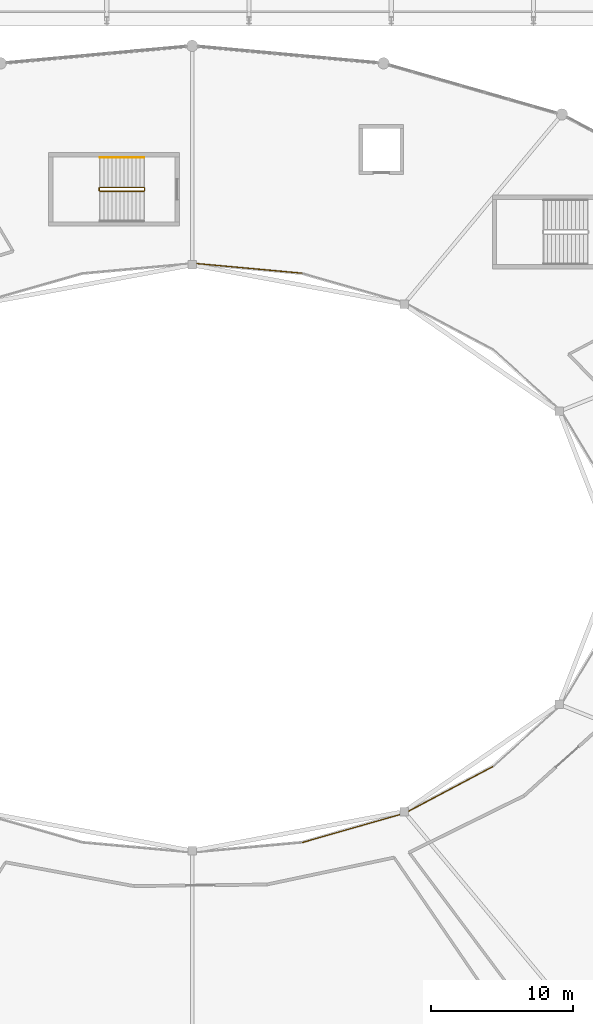
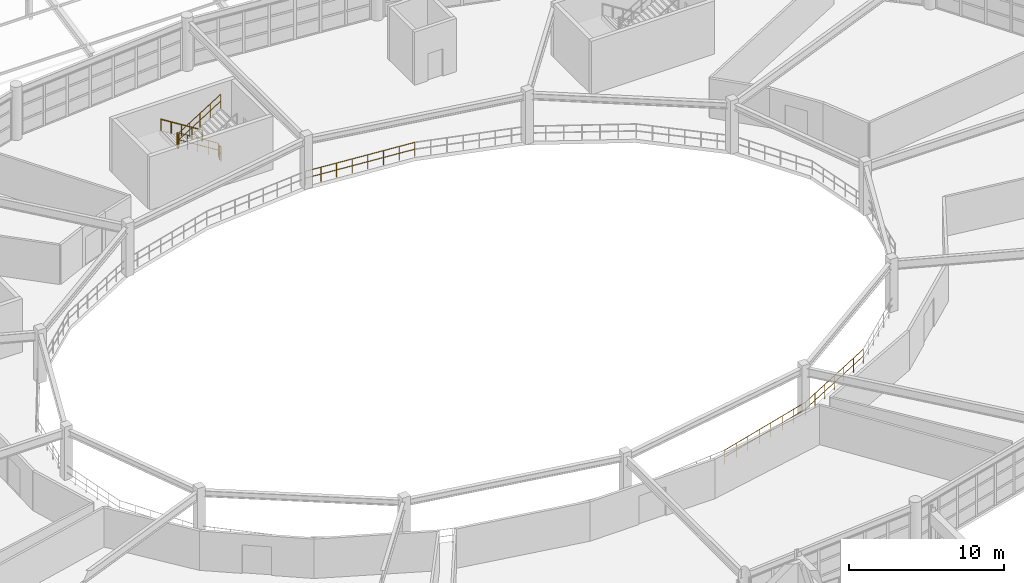
# One storey, part 92 of 100: 8 railings.
"""IFC4 building model written with IfcOpenShell, lengths in metres."""

from ifc_helpers import new_model, si_unit, direction, frame, origin, origin_2d, place, context, subcontext, project, spatial, circle, extrude, material, layer, layer_set, type_object, element, save


model = new_model("IFC4")

# Units and contexts
model_context = context("Model", 3, precision=1e-05, world=origin(), true_north=direction((0.0, 1.0)))
body_context = subcontext(model_context, "Body", "Model", "MODEL_VIEW")
ifc_project = project(units=[si_unit("LENGTHUNIT", "METRE"), si_unit("AREAUNIT", "SQUARE_METRE"), si_unit("VOLUMEUNIT", "CUBIC_METRE"), si_unit("PLANEANGLEUNIT", "RADIAN"), si_unit("MASSUNIT", "GRAM", prefix="KILO")], contexts=[model_context])

# Site, building, storey
site_placement = place(None, origin())
site = spatial("IfcSite", under=ifc_project, at=site_placement, CompositionType="ELEMENT")
building_placement = place(site_placement, origin())
building = spatial("IfcBuilding", under=site, at=building_placement, Name="Kivolera Central Railway Station", CompositionType="ELEMENT")
storey_placement = place(building_placement, frame((0.0, 0.0, 5.39990234375)))
storey = spatial("IfcBuildingStorey", under=building, at=storey_placement, Name="L01", CompositionType="ELEMENT", Elevation=5.39990234375)

# Railings
ifc_material = material(Name="Anodised aluminium", Category="aluminium")
ifc_layer_1 = layer(ifc_material, 0.048095703125, Name="Anodised aluminium")
ifc_layer_set_1 = layer_set([ifc_layer_1], Name="Anodised aluminium")
railing_type_1 = type_object("IfcRailingType", Name="RL-INT-BAL-1130", PredefinedType="BALUSTRADE", material=ifc_layer_set_1)
railing_1_placement = place(storey_placement, frame((71.751953125, 110.013916015625, 0.0)))
element("IfcRailing", 1, at=railing_1_placement, inside=storey, type_object=railing_type_1, Name="L01 Concourse Gallery Balustrade 06", PredefinedType="BALUSTRADE", context=body_context, shape_type="SweptSolid", body=[
    extrude(circle(Radius=0.02392578125, at=origin_2d()), frame((0.0, 0.0, 1.10595703125), z_axis=(-0.995877766971, 0.090705420197, 0.0), x_axis=(-0.090705420197, -0.995877766971, 0.0)), (0.0, 0.0, 1.0), 7.783935546875),
    extrude(circle(Radius=0.02392578125, at=origin_2d()), frame((0.0, 0.0, 0.56494140625), z_axis=(-0.995877766971, 0.090705420197, 0.0), x_axis=(-0.090705420197, -0.995877766971, 0.0)), (0.0, 0.0, 1.0), 7.783935546875),
    extrude(circle(Radius=0.02099609375, at=origin_2d()), origin(), (0.0, 0.0, 1.0), 1.081787109375),
    extrude(circle(Radius=0.02099609375, at=origin_2d()), frame((-1.107421875, 0.100830078125, 0.0)), (0.0, 0.0, 1.0), 1.081787109375),
    extrude(circle(Radius=0.02099609375, at=origin_2d()), frame((-2.21484375, 0.20166015625, 0.0)), (0.0, 0.0, 1.0), 1.081787109375),
    extrude(circle(Radius=0.02099609375, at=origin_2d()), frame((-3.322265625, 0.302490234375, 0.0)), (0.0, 0.0, 1.0), 1.081787109375),
    extrude(circle(Radius=0.02099609375, at=origin_2d()), frame((-4.4296875, 0.403564453125, 0.0)), (0.0, 0.0, 1.0), 1.081787109375),
    extrude(circle(Radius=0.02099609375, at=origin_2d()), frame((-5.537109375, 0.50439453125, 0.0)), (0.0, 0.0, 1.0), 1.081787109375),
    extrude(circle(Radius=0.02099609375, at=origin_2d()), frame((-6.64453125, 0.605224609375, 0.0)), (0.0, 0.0, 1.0), 1.081787109375),
    extrude(circle(Radius=0.02099609375, at=origin_2d()), frame((-7.751953125, 0.7060546875, 0.0)), (0.0, 0.0, 1.0), 1.081787109375),
])
railing_2_placement = place(storey_placement, frame((71.751953125, 69.986083984375, 0.0)))
element("IfcRailing", 2, at=railing_2_placement, inside=storey, type_object=railing_type_1, Name="L01 Concourse Gallery Balustrade 20", PredefinedType="BALUSTRADE", context=body_context, shape_type="SweptSolid", body=[
    extrude(circle(Radius=0.02392578125, at=origin_2d()), frame((0.0, 0.0, 1.10595703125), z_axis=(0.961310313559, 0.275467749556, 0.0), x_axis=(-0.275467749556, 0.961310313559, 0.0)), (0.0, 0.0, 1.0), 7.513916015625),
    extrude(circle(Radius=0.02392578125, at=origin_2d()), frame((0.0, 0.0, 0.56494140625), z_axis=(0.961310313559, 0.275467749556, 0.0), x_axis=(-0.275467749556, 0.961310313559, 0.0)), (0.0, 0.0, 1.0), 7.513916015625),
    extrude(circle(Radius=0.02099609375, at=origin_2d()), origin(), (0.0, 0.0, 1.0), 1.081787109375),
    extrude(circle(Radius=0.02099609375, at=origin_2d()), frame((1.031982421875, 0.295654296875, 0.0)), (0.0, 0.0, 1.0), 1.081787109375),
    extrude(circle(Radius=0.02099609375, at=origin_2d()), frame((2.063720703125, 0.59130859375, 0.0)), (0.0, 0.0, 1.0), 1.081787109375),
    extrude(circle(Radius=0.02099609375, at=origin_2d()), frame((3.095703125, 0.886962890625, 0.0)), (0.0, 0.0, 1.0), 1.081787109375),
    extrude(circle(Radius=0.02099609375, at=origin_2d()), frame((4.12744140625, 1.182861328125, 0.0)), (0.0, 0.0, 1.0), 1.081787109375),
    extrude(circle(Radius=0.02099609375, at=origin_2d()), frame((5.159423828125, 1.478515625, 0.0)), (0.0, 0.0, 1.0), 1.081787109375),
    extrude(circle(Radius=0.02099609375, at=origin_2d()), frame((6.191162109375, 1.774169921875, 0.0)), (0.0, 0.0, 1.0), 1.081787109375),
    extrude(circle(Radius=0.02099609375, at=origin_2d()), frame((7.22314453125, 2.06982421875, 0.0)), (0.0, 0.0, 1.0), 1.081787109375),
])
railing_3_placement = place(storey_placement, frame((78.97509765625, 72.055908203125, 0.0)))
element("IfcRailing", 3, at=railing_3_placement, inside=storey, type_object=railing_type_1, Name="L01 Concourse Gallery Balustrade 21", PredefinedType="BALUSTRADE", context=body_context, shape_type="SweptSolid", body=[
    extrude(circle(Radius=0.02392578125, at=origin_2d()), frame((0.0, 0.0, 1.10595703125), z_axis=(0.883237666535, 0.468925606482, 0.0), x_axis=(-0.468925606482, 0.883237666535, 0.0)), (0.0, 0.0, 1.0), 7.02294921875),
    extrude(circle(Radius=0.02392578125, at=origin_2d()), frame((0.0, 0.0, 0.56494140625), z_axis=(0.883237666535, 0.468925606482, 0.0), x_axis=(-0.468925606482, 0.883237666535, 0.0)), (0.0, 0.0, 1.0), 7.02294921875),
    extrude(circle(Radius=0.02099609375, at=origin_2d()), origin(), (0.0, 0.0, 1.0), 1.081787109375),
    extrude(circle(Radius=0.02099609375, at=origin_2d()), frame((1.03369140625, 0.548828125, 0.0)), (0.0, 0.0, 1.0), 1.081787109375),
    extrude(circle(Radius=0.02099609375, at=origin_2d()), frame((2.067626953125, 1.09765625, 0.0)), (0.0, 0.0, 1.0), 1.081787109375),
    extrude(circle(Radius=0.02099609375, at=origin_2d()), frame((3.1015625, 1.646484375, 0.0)), (0.0, 0.0, 1.0), 1.081787109375),
    extrude(circle(Radius=0.02099609375, at=origin_2d()), frame((4.13525390625, 2.195556640625, 0.0)), (0.0, 0.0, 1.0), 1.081787109375),
    extrude(circle(Radius=0.02099609375, at=origin_2d()), frame((5.1689453125, 2.744384765625, 0.0)), (0.0, 0.0, 1.0), 1.081787109375),
    extrude(circle(Radius=0.02099609375, at=origin_2d()), frame((6.202880859375, 3.293212890625, 0.0)), (0.0, 0.0, 1.0), 1.081787109375),
])
ifc_layer_2 = layer(ifc_material, 0.048095703125, Name="Anodised aluminium")
ifc_layer_set_2 = layer_set([ifc_layer_2], Name="Anodised aluminium")
railing_type_2 = type_object("IfcRailingType", Name="RL-STAIR-GUARD", PredefinedType="GUARDRAIL", material=ifc_layer_set_2)
railing_4_placement = place(storey_placement, frame((60.60009765625, 116.050048828125, 0.175048828125)))
element("IfcRailing", 4, at=railing_4_placement, inside=storey, type_object=railing_type_2, Name="L01 ST5 stair guard 1", PredefinedType="GUARDRAIL", context=body_context, shape_type="SweptSolid", body=[
    extrude(circle(Radius=0.02392578125, at=origin_2d()), frame((0.0, 0.0, 1.10595703125), z_axis=(-0.847998304005, 0.0, 0.529998940003), x_axis=(0.0, -1.0, 0.0)), (0.0, 0.0, 1.0), 3.632080078125),
    extrude(circle(Radius=0.02392578125, at=origin_2d()), frame((0.0, 0.0, 0.56494140625), z_axis=(-0.847998304005, 0.0, 0.529998940003), x_axis=(0.0, -1.0, 0.0)), (0.0, 0.0, 1.0), 3.632080078125),
    extrude(circle(Radius=0.02099609375, at=origin_2d()), origin(), (0.0, 0.0, 1.0), 1.081787109375),
    extrude(circle(Radius=0.02099609375, at=origin_2d()), frame((-0.77001953125, 0.0, 0.481201171875)), (0.0, 0.0, 1.0), 1.081787109375),
    extrude(circle(Radius=0.02099609375, at=origin_2d()), frame((-1.5400390625, 0.0, 0.96240234375)), (0.0, 0.0, 1.0), 1.081787109375),
    extrude(circle(Radius=0.02099609375, at=origin_2d()), frame((-2.31005859375, 0.0, 1.44384765625)), (0.0, 0.0, 1.0), 1.081787109375),
    extrude(circle(Radius=0.02099609375, at=origin_2d()), frame((-3.080078125, 0.0, 1.925048828125)), (0.0, 0.0, 1.0), 1.081787109375),
])
railing_5_placement = place(storey_placement, frame((57.469970703125, 116.0, 2.10009765625)))
element("IfcRailing", 5, at=railing_5_placement, inside=storey, type_object=railing_type_2, Name="L01 ST5 stair guard 2", PredefinedType="GUARDRAIL", context=body_context, shape_type="SweptSolid", body=[
    extrude(circle(Radius=0.02392578125, at=origin_2d()), frame((0.0, 0.0, 1.10595703125), z_axis=(0.0, -1.0, 0.0), x_axis=(1.0, 0.0, 0.0)), (0.0, 0.0, 1.0), 0.179931640625),
    extrude(circle(Radius=0.02392578125, at=origin_2d()), frame((0.0, 0.0, 0.56494140625), z_axis=(0.0, -1.0, 0.0), x_axis=(1.0, 0.0, 0.0)), (0.0, 0.0, 1.0), 0.179931640625),
    extrude(circle(Radius=0.02099609375, at=origin_2d()), origin(), (0.0, 0.0, 1.0), 1.081787109375),
    extrude(circle(Radius=0.02099609375, at=origin_2d()), frame((0.0, -0.179931640625, 0.0)), (0.0, 0.0, 1.0), 1.081787109375),
])
railing_6_placement = place(storey_placement, frame((57.52001953125, 115.77001953125, 2.275146484375)))
element("IfcRailing", 6, at=railing_6_placement, inside=storey, type_object=railing_type_2, Name="L01 ST5 stair guard 3", PredefinedType="GUARDRAIL", context=body_context, shape_type="SweptSolid", body=[
    extrude(circle(Radius=0.02392578125, at=origin_2d()), frame((0.0, 0.0, 1.10595703125), z_axis=(0.847998304005, 0.0, 0.529998940003), x_axis=(0.0, 1.0, 0.0)), (0.0, 0.0, 1.0), 3.632080078125),
    extrude(circle(Radius=0.02392578125, at=origin_2d()), frame((0.0, 0.0, 0.56494140625), z_axis=(0.847998304005, 0.0, 0.529998940003), x_axis=(0.0, 1.0, 0.0)), (0.0, 0.0, 1.0), 3.632080078125),
    extrude(circle(Radius=0.02099609375, at=origin_2d()), origin(), (0.0, 0.0, 1.0), 1.081787109375),
    extrude(circle(Radius=0.02099609375, at=origin_2d()), frame((0.77001953125, 0.0, 0.481201171875)), (0.0, 0.0, 1.0), 1.081787109375),
    extrude(circle(Radius=0.02099609375, at=origin_2d()), frame((1.5400390625, 0.0, 0.96240234375)), (0.0, 0.0, 1.0), 1.081787109375),
    extrude(circle(Radius=0.02099609375, at=origin_2d()), frame((2.31005859375, 0.0, 1.44384765625)), (0.0, 0.0, 1.0), 1.081787109375),
    extrude(circle(Radius=0.02099609375, at=origin_2d()), frame((3.080078125, 0.0, 1.925048828125)), (0.0, 0.0, 1.0), 1.081787109375),
])
railing_7_placement = place(storey_placement, frame((60.64990234375, 116.0, 0.0)))
element("IfcRailing", 7, at=railing_7_placement, inside=storey, type_object=railing_type_2, Name="L01 ST5 stair guard 4", PredefinedType="GUARDRAIL", context=body_context, shape_type="SweptSolid", body=[
    extrude(circle(Radius=0.02392578125, at=origin_2d()), frame((0.0, 0.0, 1.10595703125), z_axis=(0.0, -1.0, 0.0), x_axis=(1.0, 0.0, 0.0)), (0.0, 0.0, 1.0), 0.179931640625),
    extrude(circle(Radius=0.02392578125, at=origin_2d()), frame((0.0, 0.0, 0.56494140625), z_axis=(0.0, -1.0, 0.0), x_axis=(1.0, 0.0, 0.0)), (0.0, 0.0, 1.0), 0.179931640625),
    extrude(circle(Radius=0.02099609375, at=origin_2d()), origin(), (0.0, 0.0, 1.0), 1.081787109375),
    extrude(circle(Radius=0.02099609375, at=origin_2d()), frame((0.0, -0.179931640625, 0.0)), (0.0, 0.0, 1.0), 1.081787109375),
])
ifc_layer_3 = layer(ifc_material, 0.048095703125, Name="Anodised aluminium")
ifc_layer_set_3 = layer_set([ifc_layer_3], Name="Anodised aluminium")
railing_type_3 = type_object("IfcRailingType", Name="RL-STAIR-HAND", PredefinedType="HANDRAIL", material=ifc_layer_set_3)
railing_8_placement = place(storey_placement, frame((60.60009765625, 118.14990234375, 0.175048828125)))
element("IfcRailing", 8, at=railing_8_placement, inside=storey, type_object=railing_type_3, Name="L01 ST5 stair handrail 1", PredefinedType="HANDRAIL", context=body_context, shape_type="SweptSolid", body=[
    extrude(circle(Radius=0.02392578125, at=origin_2d()), frame((0.0, 0.0, 0.8759765625), z_axis=(-0.847998304005, 0.0, 0.529998940003), x_axis=(0.0, -1.0, 0.0)), (0.0, 0.0, 1.0), 3.632080078125),
    extrude(circle(Radius=0.02099609375, at=origin_2d()), origin(), (0.0, 0.0, 1.0), 0.851806640625),
    extrude(circle(Radius=0.02099609375, at=origin_2d()), frame((-0.77001953125, 0.0, 0.481201171875)), (0.0, 0.0, 1.0), 0.851806640625),
    extrude(circle(Radius=0.02099609375, at=origin_2d()), frame((-1.5400390625, 0.0, 0.96240234375)), (0.0, 0.0, 1.0), 0.851806640625),
    extrude(circle(Radius=0.02099609375, at=origin_2d()), frame((-2.31005859375, 0.0, 1.44384765625)), (0.0, 0.0, 1.0), 0.851806640625),
    extrude(circle(Radius=0.02099609375, at=origin_2d()), frame((-3.080078125, 0.0, 1.925048828125)), (0.0, 0.0, 1.0), 0.851806640625),
])

save(model, "model.ifc")
